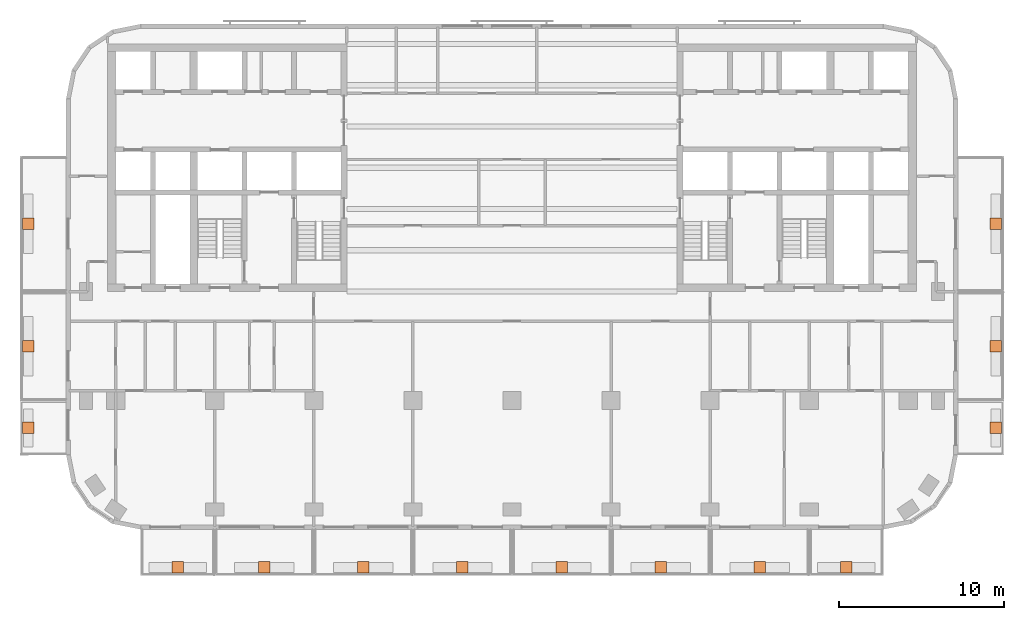
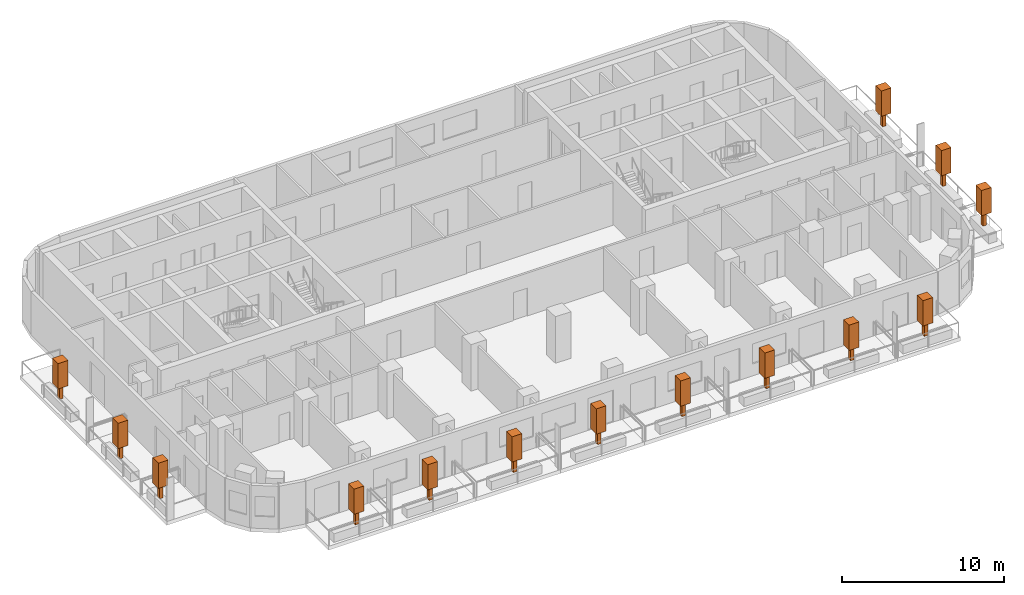
# One storey, part 11 of 11: 14 geographic elements.
"""IFC4 building model written with IfcOpenShell, lengths in metres."""

from ifc_helpers import new_model, si_unit, direction, frame, origin, origin_2d, place, context, subcontext, project, spatial, rectangle, extrude, material, element, save


model = new_model("IFC4")

# Units and contexts
model_context = context("Model", 3, precision=1e-05, world=origin(), true_north=direction((0.0, 1.0)))
body_context = subcontext(model_context, "Body", "Model", "MODEL_VIEW")
ifc_project = project(units=[si_unit("LENGTHUNIT", "METRE"), si_unit("AREAUNIT", "SQUARE_METRE"), si_unit("VOLUMEUNIT", "CUBIC_METRE"), si_unit("PLANEANGLEUNIT", "RADIAN"), si_unit("MASSUNIT", "GRAM", prefix="KILO")], contexts=[model_context])

# Site, building, storey
site_placement = place(None, origin())
site = spatial("IfcSite", under=ifc_project, at=site_placement, CompositionType="ELEMENT")
building_placement = place(site_placement, origin())
building = spatial("IfcBuilding", under=site, at=building_placement, Name="Torana Hotel and Residences", CompositionType="ELEMENT")
storey_placement = place(building_placement, frame((0.0, 0.0, 218.60009765625)))
storey = spatial("IfcBuildingStorey", under=building, at=storey_placement, Name="L57", CompositionType="ELEMENT", Elevation=218.60009765625)

# Geographic elements
ifc_material = material(Name="Foliage", Category="planting")
for number, where, z_axis, x_axis, name in (
    (1, (-20.25, -31.699951171875, 0.64990234375), (0.0, 0.0, 1.0), (1.0, 0.0, 0.0), "Tree 01"),
    (2, (-15.0, -31.699951171875, 0.64990234375), (0.0, 0.0, 1.0), (1.0, 0.0, 0.0), "Tree 02"),
    (3, (-9.0, -31.699951171875, 0.64990234375), (0.0, 0.0, 1.0), (1.0, 0.0, 0.0), "Tree 03"),
    (4, (-3.0, -31.699951171875, 0.64990234375), (0.0, 0.0, 1.0), (1.0, 0.0, 0.0), "Tree 04"),
    (5, (3.0, -31.699951171875, 0.64990234375), (0.0, 0.0, 1.0), (1.0, 0.0, 0.0), "Tree 05"),
    (6, (9.0, -31.699951171875, 0.64990234375), (0.0, 0.0, 1.0), (1.0, 0.0, 0.0), "Tree 06"),
    (7, (15.0, -31.699951171875, 0.64990234375), (0.0, 0.0, 1.0), (1.0, 0.0, 0.0), "Tree 07"),
    (8, (20.25, -31.699951171875, 0.64990234375), (0.0, 0.0, 1.0), (1.0, 0.0, 0.0), "Tree 08"),
    (9, (-29.300048828125, -23.25, 0.64990234375), (0.0, 0.0, 1.0), (1.0, 0.0, 0.0), "Tree 09"),
    (10, (-29.300048828125, -18.300048828125, 0.64990234375), (0.0, 0.0, 1.0), (1.0, 0.0, 0.0), "Tree 10"),
    (11, (-29.300048828125, -10.89990234375, 0.64990234375), (0.0, 0.0, 1.0), (1.0, 0.0, 0.0), "Tree 11"),
    (12, (29.300048828125, -23.25, 0.64990234375), (0.0, 0.0, 1.0), (1.0, 0.0, 0.0), "Tree 12"),
    (13, (29.300048828125, -18.300048828125, 0.64990234375), (0.0, 0.0, 1.0), (1.0, 0.0, 0.0), "Tree 13"),
    (14, (29.300048828125, -10.89990234375, 0.64990234375), (0.0, 0.0, 1.0), (1.0, 0.0, 0.0), "Tree 14"),
):
    element("IfcGeographicElement", number, at=place(storey_placement, frame(where, z_axis=z_axis, x_axis=x_axis)), inside=storey, material=ifc_material, Name=name, ObjectType="TREE", PredefinedType="USERDEFINED", context=body_context, shape_type="SweptSolid", body=[
        extrude(rectangle(XDim=0.25, YDim=0.25, at=origin_2d()), origin(), (0.0, 0.0, 1.0), 1.0),
        extrude(rectangle(XDim=0.699951171875, YDim=0.699951171875, at=origin_2d()), frame((0.0, 0.0, 1.0)), (0.0, 0.0, 1.0), 1.89990234375),
    ])

save(model, "model.ifc")
